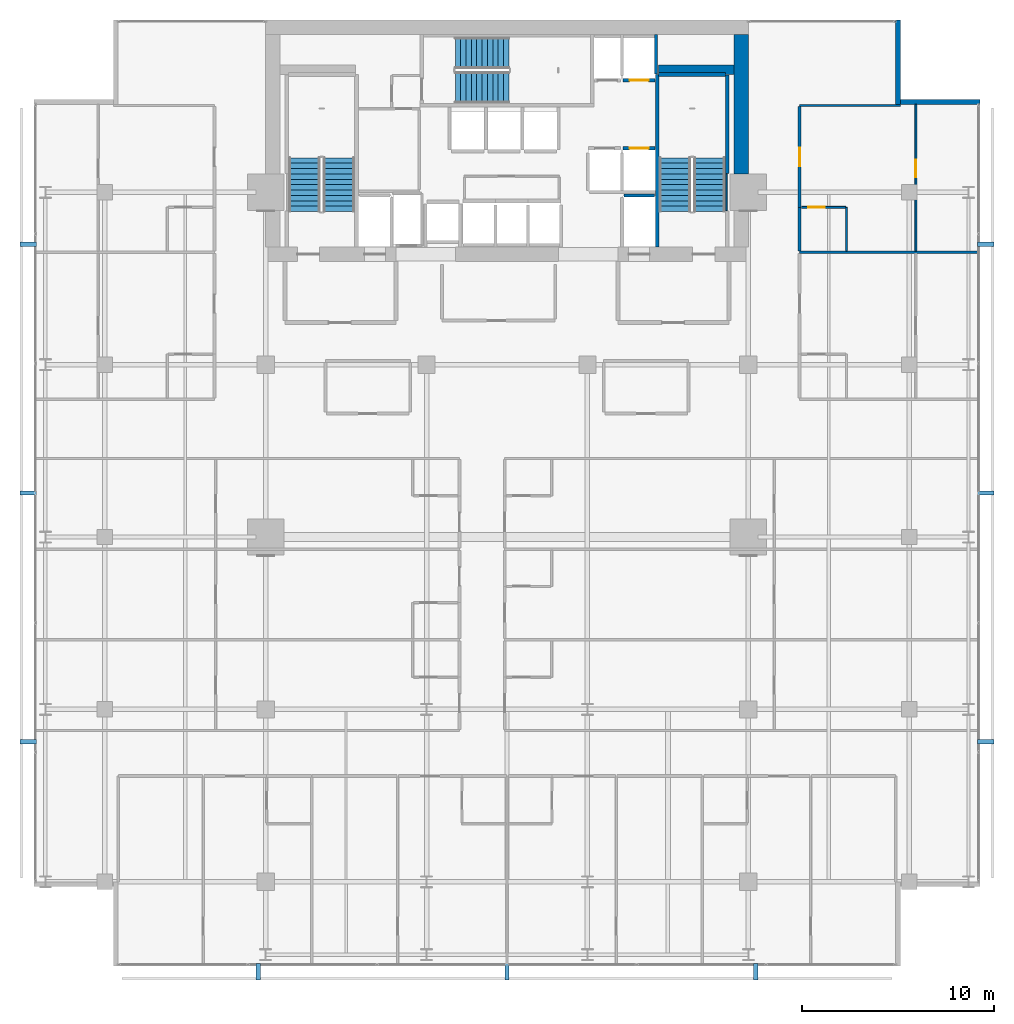
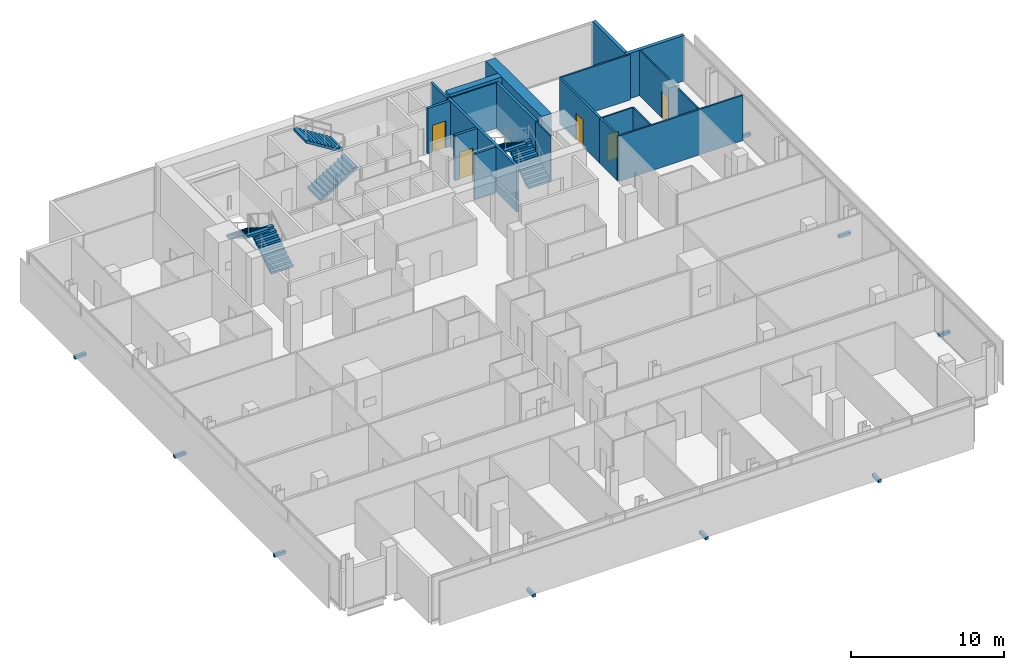
# One storey, part 31 of 33: 19 walls, 9 discrete accessories, 6 stair flights, 5 doors, 5 openings, 3 elements without a shape of their own.
"""IFC4 building model written with IfcOpenShell, lengths in metres."""

import ifcopenshell
import ifcopenshell.guid

model = None  # the IFC model being written
_history = None  # IfcOwnerHistory: only IFC2X3 demands one
_inside = {}  # id of a spatial element -> (the spatial element, [elements in it])
_under = {}  # id of a project, library or spatial element -> (it, [spatial elements below it])
_declared = {}  # id of a project -> (the project, [libraries it declares])
_typed = {}  # id of a type object -> (the type object, [elements of that type])
_made_of = {}  # id of a material, layer set ... -> (it, [elements and type objects made of it])


def new_model(schema):
    """Start an empty IFC model of exactly this schema.

    Asked for "IFC4X3", IfcOpenShell would pick the latest addendum, in which some entities
    have other attributes; the version numbers below select the first issue.
    IFC2X3 requires an IfcOwnerHistory on every rooted entity: one is made here for all.
    """
    global model, _history
    if schema == "IFC4X3":
        model = ifcopenshell.file(schema_version=(4, 3, 0, 0))
    else:
        model = ifcopenshell.file(schema=schema)
    _inside.clear()
    _under.clear()
    _declared.clear()
    _typed.clear()
    _made_of.clear()
    _history = None
    if model.schema == "IFC2X3":
        org = make("IfcOrganization", Name="unknown")
        user = make(
            "IfcPersonAndOrganization",
            ThePerson=make("IfcPerson", FamilyName="unknown"),
            TheOrganization=org,
        )
        app = make(
            "IfcApplication",
            ApplicationDeveloper=org,
            Version="unknown",
            ApplicationFullName="unknown",
            ApplicationIdentifier="unknown",
        )
        _history = make(
            "IfcOwnerHistory",
            OwningUser=user,
            OwningApplication=app,
            ChangeAction="ADDED",
            CreationDate=0,
        )
    return model


def make(cls, **values):
    """One entity of the class cls with the attributes given. An attribute that is None is left unset."""
    return model.create_entity(
        cls, **{name: value for name, value in values.items() if value is not None}
    )


def rooted(cls, **values):
    """An entity with a GlobalId (a new one), such as an element, a storey or a relation."""
    return make(cls, GlobalId=ifcopenshell.guid.new(), OwnerHistory=_history, **values)


def si_unit(unit_type, name, prefix=None):
    """IfcSIUnit, for example si_unit("LENGTHUNIT", "METRE", prefix="MILLI")."""
    return make("IfcSIUnit", UnitType=unit_type, Prefix=prefix, Name=name)


def assignment(units):
    """IfcUnitAssignment: the units of a project."""
    return None if units is None else make("IfcUnitAssignment", Units=units)


def point(xyz):
    """IfcCartesianPoint."""
    return None if xyz is None else make("IfcCartesianPoint", Coordinates=xyz)


def direction(xyz):
    """IfcDirection."""
    return None if xyz is None else make("IfcDirection", DirectionRatios=xyz)


def frame(location, z_axis=None, x_axis=None):
    """IfcAxis2Placement3D, a coordinate frame: its origin and axes. An axis left out is left unset."""
    return make(
        "IfcAxis2Placement3D",
        Location=point(location),
        Axis=direction(z_axis),
        RefDirection=direction(x_axis),
    )


def frame_2d(location, x_axis=None):
    """IfcAxis2Placement2D, a coordinate frame in the plane: its origin and x axis."""
    return make(
        "IfcAxis2Placement2D", Location=point(location), RefDirection=direction(x_axis)
    )


def origin():
    """The frame at (0, 0, 0) with its axes left unset."""
    return frame((0.0, 0.0, 0.0))


def origin_2d():
    """The frame at (0, 0) in the plane with its x axis left unset."""
    return frame_2d((0.0, 0.0))


def place(relative_to, where):
    """IfcLocalPlacement: puts the frame where relative to a parent placement (None: the world)."""
    return make(
        "IfcLocalPlacement", PlacementRelTo=relative_to, RelativePlacement=where
    )


def context(
    kind, dimensions, precision=None, world=None, true_north=None, identifier=None
):
    """IfcGeometricRepresentationContext, for example the 3D "Model" context."""
    return make(
        "IfcGeometricRepresentationContext",
        ContextIdentifier=identifier,
        ContextType=kind,
        CoordinateSpaceDimension=dimensions,
        Precision=precision,
        WorldCoordinateSystem=world,
        TrueNorth=true_north,
    )


def subcontext(parent, identifier, kind, view, scale=None):
    """IfcGeometricRepresentationSubContext, for example "Body" below "Model"."""
    return make(
        "IfcGeometricRepresentationSubContext",
        ContextIdentifier=identifier,
        ContextType=kind,
        ParentContext=parent,
        TargetScale=scale,
        TargetView=view,
    )


def project(units=None, contexts=None):
    """IfcProject with its units and contexts."""
    return rooted(
        "IfcProject",
        Name="project",
        RepresentationContexts=contexts,
        UnitsInContext=assignment(units),
    )


def spatial(cls, under=None, at=None, **own):
    """A site, building, storey or space (cls), placed at a placement, below another one or the project."""
    s = rooted(cls, ObjectPlacement=at, **own)
    if under is not None:
        _under.setdefault(under.id(), (under, []))[1].append(s)
    return s


def polyline(points):
    """IfcPolyline through the points."""
    return make("IfcPolyline", Points=[point(p) for p in points])


def profile(cls, at=None, kind="AREA", **sizes):
    """A parametric profile (cls). Its sizes go by their IFC names, for example OverallWidth=200.0."""
    return make(cls, ProfileType=kind, Position=at, **sizes)


def rectangle(**sizes):
    """IfcRectangleProfileDef."""
    return profile("IfcRectangleProfileDef", **sizes)


def outline(outer, holes=None, kind="AREA"):
    """IfcArbitraryClosedProfileDef: a profile drawn as a closed curve; with holes, ...WithVoids."""
    if holes is None:
        return make("IfcArbitraryClosedProfileDef", ProfileType=kind, OuterCurve=outer)
    return make(
        "IfcArbitraryProfileDefWithVoids",
        ProfileType=kind,
        OuterCurve=outer,
        InnerCurves=holes,
    )


def extrude(swept, where, along, depth):
    """IfcExtrudedAreaSolid: the profile swept, set in the frame where, extruded along a direction by depth."""
    return make(
        "IfcExtrudedAreaSolid",
        SweptArea=swept,
        Position=where,
        ExtrudedDirection=direction(along),
        Depth=depth,
    )


def shape(context_of_items, identifier, shape_type, items):
    """IfcShapeRepresentation: the items that make up one representation, for example the "Body"."""
    return make(
        "IfcShapeRepresentation",
        ContextOfItems=context_of_items,
        RepresentationIdentifier=identifier,
        RepresentationType=shape_type,
        Items=items,
    )


def material(Name=None, Category=None):
    """IfcMaterial."""
    return make("IfcMaterial", Name=Name, Category=Category)


def layer(
    of_material, thickness, ventilated=None, Name=None, Category=None, Priority=None
):
    """IfcMaterialLayer: one layer of a wall or slab, of a material (None: an air gap)."""
    return make(
        "IfcMaterialLayer",
        Material=of_material,
        LayerThickness=thickness,
        IsVentilated=ventilated,
        Name=Name,
        Category=Category,
        Priority=Priority,
    )


def layer_set(layers, Name=None):
    """IfcMaterialLayerSet."""
    return make("IfcMaterialLayerSet", MaterialLayers=layers, LayerSetName=Name)


def made_of(thing, what):
    """Note that an element or type object is made of a material, layer set ...; save() writes the relation."""
    if what is not None:
        _made_of.setdefault(what.id(), (what, []))[1].append(thing)
    return thing


def type_object(cls, material=None, **own):
    """A type object (cls), such as IfcWallType, which elements share."""
    return made_of(rooted(cls, **own), material)


def element(
    cls,
    number,
    at=None,
    inside=None,
    cuts=None,
    type_object=None,
    material=None,
    context=None,
    identifier="Body",
    shape_type=None,
    held_by="IfcProductDefinitionShape",
    body=None,
    shapes=None,
    **own,
):
    """One element of the class cls, such as IfcWall. Its Tag is "e" and its number.

    at: its placement. inside: the storey or other place that contains it. cuts: it is an
    opening in that element (IfcRelVoidsElement). A single representation is given by context,
    identifier, shape_type and body (its items); several are given by shapes. held_by: the class
    of the entity that holds the representations. save() writes the other relations.
    """
    e = rooted(cls, Tag="e%d" % number, ObjectPlacement=at, **own)
    if body is not None:
        shapes = [shape(context, identifier, shape_type, body)]
    if shapes is not None:
        e.Representation = make(held_by, Representations=shapes)
    if inside is not None:
        _inside.setdefault(inside.id(), (inside, []))[1].append(e)
    if cuts is not None:
        rooted(
            "IfcRelVoidsElement", RelatingBuildingElement=cuts, RelatedOpeningElement=e
        )
    if type_object is not None:
        _typed.setdefault(type_object.id(), (type_object, []))[1].append(e)
    return made_of(e, material)


def fill(opening, filler):
    """IfcRelFillsElement: the door or window that sits in an opening."""
    return rooted(
        "IfcRelFillsElement",
        RelatingOpeningElement=opening,
        RelatedBuildingElement=filler,
    )


def aggregate(whole, parts):
    """IfcRelAggregates: a whole, such as a stair, and the parts it consists of."""
    return rooted("IfcRelAggregates", RelatingObject=whole, RelatedObjects=parts)


def save(model, path):
    """Write the relations noted so far, then the file.

    IfcRelAggregates (storeys below a building ...), IfcRelContainedInSpatialStructure (elements
    in a storey), IfcRelDefinesByType, IfcRelAssociatesMaterial and IfcRelDeclares: one each for
    every whole, place, type object, material and project.
    """
    for whole, parts in _under.values():
        aggregate(whole, parts)
    for where, things in _inside.values():
        rooted(
            "IfcRelContainedInSpatialStructure",
            RelatedElements=things,
            RelatingStructure=where,
        )
    for kind, things in _typed.values():
        rooted("IfcRelDefinesByType", RelatedObjects=things, RelatingType=kind)
    for what, things in _made_of.values():
        rooted("IfcRelAssociatesMaterial", RelatedObjects=things, RelatingMaterial=what)
    for by, libraries in _declared.values():
        rooted("IfcRelDeclares", RelatingContext=by, RelatedDefinitions=libraries)
    model.write(path)


model = new_model("IFC4")

# Units and contexts
model_context = context("Model", 3, precision=1e-05, world=origin(), true_north=direction((0.0, 1.0)))
body_context = subcontext(model_context, "Body", "Model", "MODEL_VIEW")
ifc_project = project(units=[si_unit("LENGTHUNIT", "METRE"), si_unit("AREAUNIT", "SQUARE_METRE"), si_unit("VOLUMEUNIT", "CUBIC_METRE"), si_unit("PLANEANGLEUNIT", "RADIAN"), si_unit("MASSUNIT", "GRAM", prefix="KILO")], contexts=[model_context])

# Site, building, storey
site_placement = place(None, origin())
site = spatial("IfcSite", under=ifc_project, at=site_placement, CompositionType="ELEMENT")
building_placement = place(site_placement, origin())
building = spatial("IfcBuilding", under=site, at=building_placement, Name="Maruvema Waterfront Hotel and Observation Tower", CompositionType="ELEMENT")
storey_placement = place(building_placement, frame((0.0, 0.0, 138.949951171875)))
storey = spatial("IfcBuildingStorey", under=building, at=storey_placement, Name="L33", CompositionType="ELEMENT", Elevation=138.949951171875)

# Wall
ifc_material_1 = material(Name="Twin-stud acoustic gypsum drywall", Category="gypsum")
ifc_layer_1 = layer(ifc_material_1, 0.14990234375, Name="Acoustic Corridor and Suite Demising Wall 150 mm")
ifc_layer_set_1 = layer_set([ifc_layer_1], Name="Twin-stud acoustic gypsum drywall")
wall_type_1 = type_object("IfcWallType", Name="Acoustic Corridor and Suite Demising Wall 150 mm", PredefinedType="PARTITIONING", material=ifc_layer_set_1)
wall_1_placement = place(storey_placement, frame((53.080078125, 41.9287109375, 0.0), z_axis=(0.0, 0.0, 1.0), x_axis=(0.0, 1.0, 0.0)))
element("IfcWall", 1, at=wall_1_placement, inside=storey, type_object=wall_type_1, Name="L33 Bath L33-NE2 Wall 117", PredefinedType="PARTITIONING", context=body_context, shape_type="SweptSolid", body=[
    extrude(rectangle(XDim=2.2900390625, YDim=0.14990234375, at=frame_2d((1.14501953125, 0.0))), origin(), (0.0, 0.0, 1.0), 3.610107421875),
])

# Wall, opening, door
wall_2_placement = place(storey_placement, frame((53.080078125, 44.21875, 0.0), z_axis=(0.0, 0.0, 1.0), x_axis=(0.0, 1.0, 0.0)))
wall_2 = element("IfcWall", 2, at=wall_2_placement, inside=storey, type_object=wall_type_1, Name="L33 Room L33-NE2 Corridor Wall 118", PredefinedType="PARTITIONING", context=body_context, shape_type="SweptSolid", body=[
    extrude(rectangle(XDim=5.2587890625, YDim=0.14990234375, at=frame_2d((2.62939453125, 0.0))), origin(), (0.0, 0.0, 1.0), 3.610107421875),
])
opening_1_placement = place(wall_2_placement, frame((2.154296875, 0.0, 0.0)))
opening_1 = element("IfcOpeningElement", 3, at=opening_1_placement, cuts=wall_2, Name="Opening DR-095", PredefinedType="OPENING", context=body_context, shape_type="SweptSolid", body=[
    extrude(rectangle(XDim=0.949951171875, YDim=2.14990234375, at=frame_2d((0.47509765625, 1.074951171875))), frame((0.0, 0.0849609375, 0.0), z_axis=(0.0, -1.0, 0.0), x_axis=(1.0, 0.0, 0.0)), (0.0, 0.0, 1.0), 0.169921875),
])
ifc_material_2 = material(Name="Acoustic solid-core hardwood timber leaf", Category="wood")
door_type_1 = type_object("IfcDoorType", Name="Guestroom Entrance Fire Door 950x2150 mm", OperationType="NOTDEFINED", PredefinedType="DOOR", material=ifc_material_2)
door_1_placement = place(opening_1_placement, frame((0.949951171875, 0.0, 0.0), z_axis=(0.0, 0.0, 1.0), x_axis=(-1.0, 0.0, 0.0)))
door_1 = element("IfcDoor", 4, at=door_1_placement, inside=storey, type_object=door_type_1, Name="L33 Room L33-NE2 Entrance Door", OperationType="SINGLE_SWING_RIGHT", OverallHeight=2.14990234375, OverallWidth=0.949951171875, PredefinedType="DOOR", context=body_context, shape_type="SweptSolid", body=[
    extrude(rectangle(XDim=0.949951171875, YDim=2.14990234375, at=frame_2d((0.47509765625, 1.074951171875))), frame((0.0, 0.02490234375, 0.0), z_axis=(0.0, -1.0, 0.0), x_axis=(1.0, 0.0, 0.0)), (0.0, 0.0, 1.0), 0.050048828125),
])
fill(opening_1, door_1)

# Walls
ifc_material_3 = material(Name="Precast concrete C45/55", Category="concrete")
ifc_layer_2 = layer(ifc_material_3, 0.199951171875, Name="Core Shaft and Stairwell Enclosure Wall 200 mm")
ifc_layer_set_2 = layer_set([ifc_layer_2], Name="Precast concrete C45/55")
wall_type_2 = type_object("IfcWallType", Name="Core Shaft and Stairwell Enclosure Wall 200 mm", PredefinedType="SOLIDWALL", material=ifc_layer_set_2)
wall_3_placement = place(storey_placement, frame((45.64990234375, 42.14990234375, 0.0), z_axis=(0.0, 0.0, 1.0), x_axis=(0.0, 1.0, 0.0)))
element("IfcWall", 5, at=wall_3_placement, inside=storey, type_object=wall_type_2, Name="L33 Stairwell ST-03 West Shaft Wall", PredefinedType="SOLIDWALL", context=body_context, shape_type="SweptSolid", body=[
    extrude(rectangle(XDim=9.0, YDim=0.199951171875, at=frame_2d((4.5, 0.0))), origin(), (0.0, 0.0, 1.0), 3.610107421875),
])
wall_4_placement = place(storey_placement, frame((49.300048828125, 45.97998046875, 0.0), z_axis=(0.0, 0.0, 1.0), x_axis=(0.0, 1.0, 0.0)))
element("IfcWall", 6, at=wall_4_placement, inside=storey, type_object=wall_type_2, Name="L33 Stairwell ST-03 Shaft Lining Wall", PredefinedType="SOLIDWALL", context=body_context, shape_type="SweptSolid", body=[
    extrude(rectangle(XDim=5.14013671875, YDim=0.199951171875, at=frame_2d((2.570068359375, 0.0))), origin(), (0.0, 0.0, 1.0), 3.610107421875),
])
wall_5_placement = place(storey_placement, frame((45.719970703125, 51.14990234375, 0.0), z_axis=(0.0, 0.0, 1.0), x_axis=(1.0, 0.0, 0.0)))
element("IfcWall", 7, at=wall_5_placement, inside=storey, type_object=wall_type_2, Name="L33 Stairwell ST-03 Shaft Lining Wall", PredefinedType="SOLIDWALL", context=body_context, shape_type="SweptSolid", body=[
    extrude(rectangle(XDim=3.5, YDim=0.199951171875, at=frame_2d((1.75, 0.0))), origin(), (0.0, 0.0, 1.0), 3.610107421875),
])

# Wall, opening, door
wall_6_placement = place(storey_placement, frame((43.860107421875, 47.300048828125, 0.0), z_axis=(0.0, 0.0, 1.0), x_axis=(1.0, 0.0, 0.0)))
wall_6 = element("IfcWall", 8, at=wall_6_placement, inside=storey, type_object=wall_type_2, Name="L33 Lift LF-06 Hoistway Front Wall", PredefinedType="SOLIDWALL", context=body_context, shape_type="SweptSolid", body=[
    extrude(rectangle(XDim=1.679931640625, YDim=0.199951171875, at=frame_2d((0.83984375, 0.0))), origin(), (0.0, 0.0, 1.0), 3.610107421875),
])
opening_2_placement = place(wall_6_placement, frame((0.340087890625, 0.0, 0.0)))
opening_2 = element("IfcOpeningElement", 9, at=opening_2_placement, cuts=wall_6, Name="Opening LD-01", PredefinedType="OPENING", context=body_context, shape_type="SweptSolid", body=[
    extrude(rectangle(XDim=1.0, YDim=2.14990234375, at=frame_2d((0.5, 1.074951171875))), frame((0.0, 0.10986328125, 0.0), z_axis=(0.0, -1.0, 0.0), x_axis=(1.0, 0.0, 0.0)), (0.0, 0.0, 1.0), 0.219970703125),
])
ifc_material_4 = material(Name="Brushed stainless steel Grade 316", Category="steel")
door_type_2 = type_object("IfcDoorType", Name="Passenger Lift Sliding Landing Door 1000x2150 mm", OperationType="SLIDING_TO_LEFT", PredefinedType="DOOR", material=ifc_material_4)
door_2_placement = place(opening_2_placement, origin())
door_2 = element("IfcDoor", 10, at=door_2_placement, inside=storey, type_object=door_type_2, Name="L33 Lift LF-06 Sliding Landing Door", OperationType="SLIDING_TO_LEFT", OverallHeight=2.14990234375, OverallWidth=1.0, PredefinedType="DOOR", context=body_context, shape_type="SweptSolid", body=[
    extrude(rectangle(XDim=1.0, YDim=2.14990234375, at=frame_2d((0.5, 1.074951171875))), frame((0.0, 0.02490234375, 0.0), z_axis=(0.0, -1.0, 0.0), x_axis=(1.0, 0.0, 0.0)), (0.0, 0.0, 1.0), 0.050048828125),
])
fill(opening_2, door_2)

wall_7_placement = place(storey_placement, frame((43.860107421875, 50.85009765625, 0.0), z_axis=(0.0, 0.0, 1.0), x_axis=(1.0, 0.0, 0.0)))
wall_7 = element("IfcWall", 11, at=wall_7_placement, inside=storey, type_object=wall_type_2, Name="L33 Lift LF-08 Hoistway Front Wall", PredefinedType="SOLIDWALL", context=body_context, shape_type="SweptSolid", body=[
    extrude(rectangle(XDim=1.679931640625, YDim=0.199951171875, at=frame_2d((0.83984375, 0.0))), origin(), (0.0, 0.0, 1.0), 3.610107421875),
])
opening_3_placement = place(wall_7_placement, frame((0.340087890625, 0.0, 0.0)))
opening_3 = element("IfcOpeningElement", 12, at=opening_3_placement, cuts=wall_7, Name="Opening LD-01", PredefinedType="OPENING", context=body_context, shape_type="SweptSolid", body=[
    extrude(rectangle(XDim=1.0, YDim=2.14990234375, at=frame_2d((0.5, 1.074951171875))), frame((0.0, 0.10986328125, 0.0), z_axis=(0.0, -1.0, 0.0), x_axis=(1.0, 0.0, 0.0)), (0.0, 0.0, 1.0), 0.219970703125),
])
door_3_placement = place(opening_3_placement, frame((1.0, 0.0, 0.0), z_axis=(0.0, 0.0, 1.0), x_axis=(-1.0, 0.0, 0.0)))
door_3 = element("IfcDoor", 13, at=door_3_placement, inside=storey, type_object=door_type_2, Name="L33 Lift LF-08 Sliding Landing Door", OperationType="SLIDING_TO_LEFT", OverallHeight=2.14990234375, OverallWidth=1.0, PredefinedType="DOOR", context=body_context, shape_type="SweptSolid", body=[
    extrude(rectangle(XDim=1.0, YDim=2.14990234375, at=frame_2d((0.5, 1.074951171875))), frame((0.0, 0.02490234375, 0.0), z_axis=(0.0, -1.0, 0.0), x_axis=(1.0, 0.0, 0.0)), (0.0, 0.0, 1.0), 0.050048828125),
])
fill(opening_3, door_3)

# Walls
ifc_material_5 = material(Name="Concrete C70/85", Category="concrete")
ifc_layer_3 = layer(ifc_material_5, 0.5, Name="Core Shear Wall 500 mm")
ifc_layer_set_3 = layer_set([ifc_layer_3], Name="Concrete C70/85")
wall_type_3 = type_object("IfcWallType", Name="Core Shear Wall 500 mm", PredefinedType="SHEAR", material=ifc_layer_set_3)
wall_8_placement = place(storey_placement, frame((45.699951171875, 51.39990234375, 0.0), z_axis=(0.0, 0.0, 1.0), x_axis=(1.0, 0.0, 0.0)))
element("IfcWall", 14, at=wall_8_placement, inside=storey, type_object=wall_type_3, Name="L33 Internal Core Shear Wall NE 500 mm", PredefinedType="SHEAR", context=body_context, shape_type="SweptSolid", body=[
    extrude(rectangle(XDim=3.949951171875, YDim=0.5, at=frame_2d((1.97509765625, 0.0))), origin(), (0.0, 0.0, 1.0), 3.85009765625),
])
ifc_material_6 = material(Name="Concrete C70/85", Category="concrete")
ifc_layer_4 = layer(ifc_material_6, 0.75, Name="Core Shear Wall 750 mm")
ifc_layer_set_4 = layer_set([ifc_layer_4], Name="Concrete C70/85")
wall_type_4 = type_object("IfcWallType", Name="Core Shear Wall 750 mm", PredefinedType="SHEAR", material=ifc_layer_set_4)
wall_9_placement = place(storey_placement, frame((50.02490234375, 45.949951171875, 0.0), z_axis=(0.0, 0.0, 1.0), x_axis=(0.0, 1.0, 0.0)))
element("IfcWall", 15, at=wall_9_placement, inside=storey, type_object=wall_type_4, Name="L33 East-North Core Shear Wall", PredefinedType="SHEAR", context=body_context, shape_type="SweptSolid", body=[
    extrude(rectangle(XDim=7.300048828125, YDim=0.75, at=frame_2d((3.64990234375, 0.0))), origin(), (0.0, 0.0, 1.0), 3.85009765625),
])
ifc_material_7 = material(Name="Moisture-resistant cement-board drywall", Category="gypsum")
ifc_layer_5 = layer(ifc_material_7, 0.10009765625, Name="En-Suite Moisture-Resistant Partition 100 mm")
ifc_layer_set_5 = layer_set([ifc_layer_5], Name="Moisture-resistant cement-board drywall")
wall_type_5 = type_object("IfcWallType", Name="En-Suite Moisture-Resistant Partition 100 mm", PredefinedType="PARTITIONING", material=ifc_layer_set_5)
wall_10_placement = place(storey_placement, frame((55.530029296875, 41.9287109375, 0.0), z_axis=(0.0, 0.0, 1.0), x_axis=(0.0, 1.0, 0.0)))
element("IfcWall", 16, at=wall_10_placement, inside=storey, type_object=wall_type_5, Name="L33 En-Suite L33-NE2 E 119", PredefinedType="PARTITIONING", context=body_context, shape_type="SweptSolid", body=[
    extrude(rectangle(XDim=2.2900390625, YDim=0.10009765625, at=frame_2d((1.14501953125, 0.0))), origin(), (0.0, 0.0, 1.0), 3.610107421875),
])

# Wall, opening, door
wall_11_placement = place(storey_placement, frame((53.179931640625, 44.21875, 0.0), z_axis=(0.0, 0.0, 1.0), x_axis=(1.0, 0.0, 0.0)))
wall_11 = element("IfcWall", 17, at=wall_11_placement, inside=storey, type_object=wall_type_5, Name="L33 En-Suite L33-NE2 N 120", PredefinedType="PARTITIONING", context=body_context, shape_type="SweptSolid", body=[
    extrude(rectangle(XDim=2.300048828125, YDim=0.10009765625, at=frame_2d((1.14990234375, 0.0))), origin(), (0.0, 0.0, 1.0), 3.610107421875),
])
opening_4_placement = place(wall_11_placement, frame((0.35009765625, 0.0, 0.0)))
opening_4 = element("IfcOpeningElement", 18, at=opening_4_placement, cuts=wall_11, Name="Opening DR-085", PredefinedType="OPENING", context=body_context, shape_type="SweptSolid", body=[
    extrude(rectangle(XDim=0.85009765625, YDim=2.10009765625, at=frame_2d((0.425048828125, 1.050048828125))), frame((0.0, 0.06005859375, 0.0), z_axis=(0.0, -1.0, 0.0), x_axis=(1.0, 0.0, 0.0)), (0.0, 0.0, 1.0), 0.1201171875),
])
ifc_material_8 = material(Name="Moisture-resistant solid timber leaf", Category="wood")
door_type_3 = type_object("IfcDoorType", Name="En-Suite Bathroom Door 850x2100 mm", OperationType="NOTDEFINED", PredefinedType="DOOR", material=ifc_material_8)
door_4_placement = place(opening_4_placement, origin())
door_4 = element("IfcDoor", 19, at=door_4_placement, inside=storey, type_object=door_type_3, Name="L33 En-Suite L33-NE2 Door", OperationType="SINGLE_SWING_LEFT", OverallHeight=2.10009765625, OverallWidth=0.85009765625, PredefinedType="DOOR", context=body_context, shape_type="SweptSolid", body=[
    extrude(rectangle(XDim=0.85009765625, YDim=2.10009765625, at=frame_2d((0.425048828125, 1.050048828125))), frame((0.0, 0.02490234375, 0.0), z_axis=(0.0, -1.0, 0.0), x_axis=(1.0, 0.0, 0.0)), (0.0, 0.0, 1.0), 0.050048828125),
])
fill(opening_4, door_4)

wall_12_placement = place(storey_placement, frame((59.154296875, 41.9287109375, 0.0), z_axis=(0.0, 0.0, 1.0), x_axis=(0.0, 1.0, 0.0)))
wall_12 = element("IfcWall", 20, at=wall_12_placement, inside=storey, type_object=wall_type_5, Name="L33 Suite L33-NE2 Split 121", PredefinedType="PARTITIONING", context=body_context, shape_type="SweptSolid", body=[
    extrude(rectangle(XDim=7.668701171875, YDim=0.10009765625, at=frame_2d((3.83447265625, 0.0))), origin(), (0.0, 0.0, 1.0), 3.610107421875),
])
opening_5_placement = place(wall_12_placement, frame((3.8642578125, 0.0, 0.0)))
opening_5 = element("IfcOpeningElement", 21, at=opening_5_placement, cuts=wall_12, Name="Opening DR-090", PredefinedType="OPENING", context=body_context, shape_type="SweptSolid", body=[
    extrude(rectangle(XDim=0.89990234375, YDim=2.10009765625, at=frame_2d((0.449951171875, 1.050048828125))), frame((0.0, 0.06005859375, 0.0), z_axis=(0.0, -1.0, 0.0), x_axis=(1.0, 0.0, 0.0)), (0.0, 0.0, 1.0), 0.1201171875),
])
ifc_material_9 = material(Name="Solid-core lacquered timber leaf", Category="wood")
door_type_4 = type_object("IfcDoorType", Name="Accessible Toilet and Room Door 900x2100 mm", OperationType="NOTDEFINED", PredefinedType="DOOR", material=ifc_material_9)
door_5_placement = place(opening_5_placement, frame((0.89990234375, 0.0, 0.0), z_axis=(0.0, 0.0, 1.0), x_axis=(-1.0, 0.0, 0.0)))
door_5 = element("IfcDoor", 22, at=door_5_placement, inside=storey, type_object=door_type_4, Name="L33 Suite L33-NE2 Bedroom Door", OperationType="SINGLE_SWING_LEFT", OverallHeight=2.10009765625, OverallWidth=0.89990234375, PredefinedType="DOOR", context=body_context, shape_type="SweptSolid", body=[
    extrude(rectangle(XDim=0.89990234375, YDim=2.10009765625, at=frame_2d((0.449951171875, 1.050048828125))), frame((0.0, 0.02490234375, 0.0), z_axis=(0.0, -1.0, 0.0), x_axis=(1.0, 0.0, 0.0)), (0.0, 0.0, 1.0), 0.050048828125),
])
fill(opening_5, door_5)

# Walls
ifc_material_10 = material(Name="Precast concrete C45/55 with honed Pernambuco granite facing", Category="masonry")
ifc_layer_6 = layer(ifc_material_10, 0.260009765625, Name="Exterior Granite Clad Spandrel and Pier Wall 260 mm")
ifc_layer_set_6 = layer_set([ifc_layer_6], Name="Precast concrete C45/55 with honed Pernambuco granite facing")
wall_type_6 = type_object("IfcWallType", Name="Exterior Granite Clad Spandrel and Pier Wall 260 mm", PredefinedType="SOLIDWALL", material=ifc_layer_set_6)
for number, where, z_axis, x_axis, name in (
    (23, (58.22998046875, 54.0, 0.0), (0.0, 0.0, 1.0), (0.0, -1.0, 0.0), "L33 Corner Notch Granite Pier Wall NE1"),
    (24, (58.10009765625, 49.72998046875, 0.0), (0.0, 0.0, 1.0), (1.0, 0.0, 0.0), "L33 Corner Notch Granite Pier Wall NE2"),
):
    element("IfcWall", number, at=place(storey_placement, frame(where, z_axis=z_axis, x_axis=x_axis)), inside=storey, type_object=wall_type_6, Name=name, PredefinedType="SOLIDWALL", context=body_context, shape_type="SweptSolid", body=[
        extrude(rectangle(XDim=4.39990234375, YDim=0.260009765625, at=frame_2d((2.199951171875, 0.0))), origin(), (0.0, 0.0, 1.0), 3.610107421875),
    ])
ifc_material_11 = material(Name="Acoustic gypsum plasterboard drywall", Category="gypsum")
ifc_layer_7 = layer(ifc_material_11, 0.125, Name="Guestroom Acoustic Demising Wall 125 mm")
ifc_layer_set_7 = layer_set([ifc_layer_7], Name="Acoustic gypsum plasterboard drywall")
wall_type_7 = type_object("IfcWallType", Name="Guestroom Acoustic Demising Wall 125 mm", PredefinedType="PARTITIONING", material=ifc_layer_set_7)
wall_13_placement = place(storey_placement, frame((53.080078125, 49.53759765625, 0.0), z_axis=(0.0, 0.0, 1.0), x_axis=(1.0, 0.0, 0.0)))
element("IfcWall", 25, at=wall_13_placement, inside=storey, type_object=wall_type_7, Name="L33 Z2 NE Top End 099", PredefinedType="PARTITIONING", context=body_context, shape_type="SweptSolid", body=[
    extrude(rectangle(XDim=5.280029296875, YDim=0.125, at=frame_2d((2.64013671875, 0.0))), origin(), (0.0, 0.0, 1.0), 3.610107421875),
])
wall_14_placement = place(storey_placement, frame((53.080078125, 41.868896484375, 0.0), z_axis=(0.0, 0.0, 1.0), x_axis=(1.0, 0.0, 0.0)))
element("IfcWall", 26, at=wall_14_placement, inside=storey, type_object=wall_type_7, Name="L33 Z2 NE Demising 2 111", PredefinedType="PARTITIONING", context=body_context, shape_type="SweptSolid", body=[
    extrude(rectangle(XDim=9.31982421875, YDim=0.125, at=frame_2d((4.659912109375, 0.0))), origin(), (0.0, 0.0, 1.0), 3.610107421875),
])
ifc_material_12 = material(Name="Precast concrete C45/55", Category="concrete")
ifc_layer_8 = layer(ifc_material_12, 0.159912109375, Name="Lift Hoistway Divider Wall 160 mm")
ifc_layer_set_8 = layer_set([ifc_layer_8], Name="Precast concrete C45/55")
wall_type_8 = type_object("IfcWallType", Name="Lift Hoistway Divider Wall 160 mm", PredefinedType="SOLIDWALL", material=ifc_layer_set_8)
wall_15_placement = place(storey_placement, frame((43.89990234375, 44.830078125, 0.0), z_axis=(0.0, 0.0, 1.0), x_axis=(1.0, 0.0, 0.0)))
element("IfcWall", 27, at=wall_15_placement, inside=storey, type_object=wall_type_8, Name="L33 Lift FL-02 Rear Hoistway Wall", PredefinedType="SOLIDWALL", context=body_context, shape_type="SweptSolid", body=[
    extrude(rectangle(XDim=1.60009765625, YDim=0.159912109375, at=frame_2d((0.800048828125, 0.0))), origin(), (0.0, 0.0, 1.0), 3.610107421875),
])
wall_16_placement = place(storey_placement, frame((45.590087890625, 51.179931640625, 0.0), z_axis=(0.0, 0.0, 1.0), x_axis=(0.0, 1.0, 0.0)))
element("IfcWall", 28, at=wall_16_placement, inside=storey, type_object=wall_type_8, Name="L33 Hoistway Divider Wall", PredefinedType="SOLIDWALL", context=body_context, shape_type="SweptSolid", body=[
    extrude(rectangle(XDim=2.070068359375, YDim=0.159912109375, at=frame_2d((1.03515625, 0.0))), origin(), (0.0, 0.0, 1.0), 3.610107421875),
])
ifc_material_13 = material(Name="Precast concrete C45/55", Category="concrete")
ifc_layer_9 = layer(ifc_material_13, 0.10009765625, Name="Stairwell Stringer Cheek Wall 100 mm")
ifc_layer_set_9 = layer_set([ifc_layer_9], Name="Precast concrete C45/55")
wall_type_9 = type_object("IfcWallType", Name="Stairwell Stringer Cheek Wall 100 mm", PredefinedType="SOLIDWALL", material=ifc_layer_set_9)
wall_17_placement = place(storey_placement, frame((49.248046875, 44.0400390625, 0.0), z_axis=(0.0, 0.0, 1.0), x_axis=(0.0, 1.0, 0.0)))
element("IfcWall", 29, at=wall_17_placement, inside=storey, type_object=wall_type_9, Name="L33 Stairwell ST-03 Mega-Column Cheek Wall", PredefinedType="SOLIDWALL", context=body_context, shape_type="SweptSolid", body=[
    extrude(rectangle(XDim=1.919921875, YDim=0.10009765625, at=frame_2d((0.9599609375, 0.0))), origin(), (0.0, 0.0, 1.0), 3.610107421875),
])

# Stair, stair flights
ifc_material_14 = material(Name="Concrete C50/60", Category="concrete")
stair_type = type_object("IfcStairType", Name="Dogleg Exit Stair 1650 mm (22R x 175.0 mm)", PredefinedType="HALF_TURN_STAIR", material=ifc_material_14)
stair_1_placement = place(storey_placement, origin())
stair_1 = element("IfcStair", 30, at=stair_1_placement, inside=storey, type_object=stair_type, Name="L33 ST-01", PredefinedType="HALF_TURN_STAIR")
ifc_material_15 = material(Name="Concrete C50/60", Category="concrete")
stair_flight_type = type_object("IfcStairFlightType", Name="Reinforced Concrete Stair Flight 1650 mm (11R x 175.0 mm)", PredefinedType="STRAIGHT", material=ifc_material_15)
stair_flight_1_placement = place(storey_placement, frame((29.02490234375, 44.0, 0.0), z_axis=(0.0, 0.0, 1.0), x_axis=(0.0, 1.0, 0.0)))
stair_flight_1 = element("IfcStairFlight", 31, at=stair_flight_1_placement, type_object=stair_flight_type, Name="ST-01 flight 1", NumberOfRisers=11, NumberOfTreads=10, PredefinedType="STRAIGHT", RiserHeight=0.175, TreadLength=0.28, context=body_context, shape_type="SweptSolid", body=[
    extrude(outline(polyline([(0.0, 0.0), (0.0, 0.175048828125), (0.280029296875, 0.175048828125), (0.280029296875, 0.35009765625), (0.56005859375, 0.35009765625), (0.56005859375, 0.52490234375), (0.840087890625, 0.52490234375), (0.840087890625, 0.699951171875), (1.1201171875, 0.699951171875), (1.1201171875, 0.875), (1.39990234375, 0.875), (1.39990234375, 1.050048828125), (1.679931640625, 1.050048828125), (1.679931640625, 1.22509765625), (1.9599609375, 1.22509765625), (1.9599609375, 1.39990234375), (2.239990234375, 1.39990234375), (2.239990234375, 1.574951171875), (2.52001953125, 1.574951171875), (2.52001953125, 1.75), (2.800048828125, 1.75), (2.800048828125, 1.925048828125), (2.800048828125, 1.5732421875), (0.28271484375, 0.0), (0.0, 0.0)])), frame((0.0, 0.824951171875, 0.0), z_axis=(0.0, -1.0, 0.0), x_axis=(1.0, 0.0, 0.0)), (0.0, 0.0, 1.0), 1.64990234375),
])
stair_flight_2_placement = place(storey_placement, frame((27.22509765625, 46.800048828125, 1.925048828125), z_axis=(0.0, 0.0, 1.0), x_axis=(0.0, -1.0, 0.0)))
stair_flight_2 = element("IfcStairFlight", 32, at=stair_flight_2_placement, type_object=stair_flight_type, Name="ST-01 flight 2", NumberOfRisers=11, NumberOfTreads=10, PredefinedType="STRAIGHT", RiserHeight=0.175, TreadLength=0.28, context=body_context, shape_type="SweptSolid", body=[
    extrude(outline(polyline([(0.0, 0.0), (0.0, 0.175048828125), (0.280029296875, 0.175048828125), (0.280029296875, 0.35009765625), (0.56005859375, 0.35009765625), (0.56005859375, 0.52490234375), (0.840087890625, 0.52490234375), (0.840087890625, 0.699951171875), (1.1201171875, 0.699951171875), (1.1201171875, 0.875), (1.39990234375, 0.875), (1.39990234375, 1.050048828125), (1.679931640625, 1.050048828125), (1.679931640625, 1.22509765625), (1.9599609375, 1.22509765625), (1.9599609375, 1.39990234375), (2.239990234375, 1.39990234375), (2.239990234375, 1.574951171875), (2.52001953125, 1.574951171875), (2.52001953125, 1.75), (2.800048828125, 1.75), (2.800048828125, 1.925048828125), (2.800048828125, 1.5732421875), (0.28271484375, 0.0), (0.0, 0.0)])), frame((0.0, 0.824951171875, 0.0), z_axis=(0.0, -1.0, 0.0), x_axis=(1.0, 0.0, 0.0)), (0.0, 0.0, 1.0), 1.64990234375),
])
aggregate(stair_1, [stair_flight_1, stair_flight_2])

stair_2_placement = place(storey_placement, origin())
stair_2 = element("IfcStair", 33, at=stair_2_placement, inside=storey, type_object=stair_type, Name="L33 ST-02", PredefinedType="HALF_TURN_STAIR")
stair_flight_3_placement = place(storey_placement, frame((35.10009765625, 50.47509765625, 0.0), z_axis=(0.0, 0.0, 1.0), x_axis=(1.0, 0.0, 0.0)))
stair_flight_3 = element("IfcStairFlight", 34, at=stair_flight_3_placement, type_object=stair_flight_type, Name="ST-02 flight 1", NumberOfRisers=11, NumberOfTreads=10, PredefinedType="STRAIGHT", RiserHeight=0.175, TreadLength=0.28, context=body_context, shape_type="SweptSolid", body=[
    extrude(outline(polyline([(0.0, 0.0), (0.0, 0.175048828125), (0.280029296875, 0.175048828125), (0.280029296875, 0.35009765625), (0.56005859375, 0.35009765625), (0.56005859375, 0.52490234375), (0.840087890625, 0.52490234375), (0.840087890625, 0.699951171875), (1.1201171875, 0.699951171875), (1.1201171875, 0.875), (1.39990234375, 0.875), (1.39990234375, 1.050048828125), (1.679931640625, 1.050048828125), (1.679931640625, 1.22509765625), (1.9599609375, 1.22509765625), (1.9599609375, 1.39990234375), (2.239990234375, 1.39990234375), (2.239990234375, 1.574951171875), (2.52001953125, 1.574951171875), (2.52001953125, 1.75), (2.800048828125, 1.75), (2.800048828125, 1.925048828125), (2.800048828125, 1.5732421875), (0.28271484375, 0.0), (0.0, 0.0)])), frame((0.0, 0.824951171875, 0.0), z_axis=(0.0, -1.0, 0.0), x_axis=(1.0, 0.0, 0.0)), (0.0, 0.0, 1.0), 1.64990234375),
])
stair_flight_4_placement = place(storey_placement, frame((37.89990234375, 52.27490234375, 1.925048828125), z_axis=(0.0, 0.0, 1.0), x_axis=(-1.0, 0.0, 0.0)))
stair_flight_4 = element("IfcStairFlight", 35, at=stair_flight_4_placement, type_object=stair_flight_type, Name="ST-02 flight 2", NumberOfRisers=11, NumberOfTreads=10, PredefinedType="STRAIGHT", RiserHeight=0.175, TreadLength=0.28, context=body_context, shape_type="SweptSolid", body=[
    extrude(outline(polyline([(0.0, 0.0), (0.0, 0.175048828125), (0.280029296875, 0.175048828125), (0.280029296875, 0.35009765625), (0.56005859375, 0.35009765625), (0.56005859375, 0.52490234375), (0.840087890625, 0.52490234375), (0.840087890625, 0.699951171875), (1.1201171875, 0.699951171875), (1.1201171875, 0.875), (1.39990234375, 0.875), (1.39990234375, 1.050048828125), (1.679931640625, 1.050048828125), (1.679931640625, 1.22509765625), (1.9599609375, 1.22509765625), (1.9599609375, 1.39990234375), (2.239990234375, 1.39990234375), (2.239990234375, 1.574951171875), (2.52001953125, 1.574951171875), (2.52001953125, 1.75), (2.800048828125, 1.75), (2.800048828125, 1.925048828125), (2.800048828125, 1.5732421875), (0.28271484375, 0.0), (0.0, 0.0)])), frame((0.0, 0.824951171875, 0.0), z_axis=(0.0, -1.0, 0.0), x_axis=(1.0, 0.0, 0.0)), (0.0, 0.0, 1.0), 1.64990234375),
])
aggregate(stair_2, [stair_flight_3, stair_flight_4])

stair_3_placement = place(storey_placement, origin())
stair_3 = element("IfcStair", 36, at=stair_3_placement, inside=storey, type_object=stair_type, Name="L33 ST-03", PredefinedType="HALF_TURN_STAIR")
stair_flight_5_placement = place(storey_placement, frame((48.375, 44.0, 0.0), z_axis=(0.0, 0.0, 1.0), x_axis=(0.0, 1.0, 0.0)))
stair_flight_5 = element("IfcStairFlight", 37, at=stair_flight_5_placement, type_object=stair_flight_type, Name="ST-03 flight 1", NumberOfRisers=11, NumberOfTreads=10, PredefinedType="STRAIGHT", RiserHeight=0.175, TreadLength=0.28, context=body_context, shape_type="SweptSolid", body=[
    extrude(outline(polyline([(0.0, 0.0), (0.0, 0.175048828125), (0.280029296875, 0.175048828125), (0.280029296875, 0.35009765625), (0.56005859375, 0.35009765625), (0.56005859375, 0.52490234375), (0.840087890625, 0.52490234375), (0.840087890625, 0.699951171875), (1.1201171875, 0.699951171875), (1.1201171875, 0.875), (1.39990234375, 0.875), (1.39990234375, 1.050048828125), (1.679931640625, 1.050048828125), (1.679931640625, 1.22509765625), (1.9599609375, 1.22509765625), (1.9599609375, 1.39990234375), (2.239990234375, 1.39990234375), (2.239990234375, 1.574951171875), (2.52001953125, 1.574951171875), (2.52001953125, 1.75), (2.800048828125, 1.75), (2.800048828125, 1.925048828125), (2.800048828125, 1.5732421875), (0.28271484375, 0.0), (0.0, 0.0)])), frame((0.0, 0.824951171875, 0.0), z_axis=(0.0, -1.0, 0.0), x_axis=(1.0, 0.0, 0.0)), (0.0, 0.0, 1.0), 1.64990234375),
])
stair_flight_6_placement = place(storey_placement, frame((46.574951171875, 46.800048828125, 1.925048828125), z_axis=(0.0, 0.0, 1.0), x_axis=(0.0, -1.0, 0.0)))
stair_flight_6 = element("IfcStairFlight", 38, at=stair_flight_6_placement, type_object=stair_flight_type, Name="ST-03 flight 2", NumberOfRisers=11, NumberOfTreads=10, PredefinedType="STRAIGHT", RiserHeight=0.175, TreadLength=0.28, context=body_context, shape_type="SweptSolid", body=[
    extrude(outline(polyline([(0.0, 0.0), (0.0, 0.175048828125), (0.280029296875, 0.175048828125), (0.280029296875, 0.35009765625), (0.56005859375, 0.35009765625), (0.56005859375, 0.52490234375), (0.840087890625, 0.52490234375), (0.840087890625, 0.699951171875), (1.1201171875, 0.699951171875), (1.1201171875, 0.875), (1.39990234375, 0.875), (1.39990234375, 1.050048828125), (1.679931640625, 1.050048828125), (1.679931640625, 1.22509765625), (1.9599609375, 1.22509765625), (1.9599609375, 1.39990234375), (2.239990234375, 1.39990234375), (2.239990234375, 1.574951171875), (2.52001953125, 1.574951171875), (2.52001953125, 1.75), (2.800048828125, 1.75), (2.800048828125, 1.925048828125), (2.800048828125, 1.5732421875), (0.28271484375, 0.0), (0.0, 0.0)])), frame((0.0, 0.824951171875, 0.0), z_axis=(0.0, -1.0, 0.0), x_axis=(1.0, 0.0, 0.0)), (0.0, 0.0, 1.0), 1.64990234375),
])
aggregate(stair_3, [stair_flight_5, stair_flight_6])

# Discrete accessories
ifc_material_16 = material(Name="Duplex stainless steel Grade 2205", Category="steel")
discrete_accessory_type = type_object("IfcDiscreteAccessoryType", Name="Double-Skin Cavity Stainless Outrigger Bracket", PredefinedType="BRACKET", material=ifc_material_16)
for number, where, z_axis, x_axis, name in (
    (39, (24.80810546875, 4.300048828125, -0.14013671875), (0.0, 0.0, 1.0), (1.0, 0.0, 0.0), "L33 Outer Skin Support Bracket 1"),
    (40, (37.800048828125, 4.300048828125, -0.14013671875), (0.0, 0.0, 1.0), (1.0, 0.0, 0.0), "L33 Outer Skin Support Bracket 2"),
    (41, (50.7919921875, 4.300048828125, -0.14013671875), (0.0, 0.0, 1.0), (1.0, 0.0, 0.0), "L33 Outer Skin Support Bracket 3"),
    (42, (62.800048828125, 16.30810546875, -0.14013671875), (0.0, 0.0, 1.0), (0.0, 1.0, 0.0), "L33 Outer Skin Support Bracket 1"),
    (43, (62.800048828125, 29.300048828125, -0.14013671875), (0.0, 0.0, 1.0), (0.0, 1.0, 0.0), "L33 Outer Skin Support Bracket 2"),
    (44, (62.800048828125, 42.2919921875, -0.14013671875), (0.0, 0.0, 1.0), (0.0, 1.0, 0.0), "L33 Outer Skin Support Bracket 3"),
    (45, (12.800048828125, 42.2919921875, -0.14013671875), (0.0, 0.0, 1.0), (0.0, -1.0, 0.0), "L33 Outer Skin Support Bracket 1"),
    (46, (12.800048828125, 29.300048828125, -0.14013671875), (0.0, 0.0, 1.0), (0.0, -1.0, 0.0), "L33 Outer Skin Support Bracket 2"),
    (47, (12.800048828125, 16.30810546875, -0.14013671875), (0.0, 0.0, 1.0), (0.0, -1.0, 0.0), "L33 Outer Skin Support Bracket 3"),
):
    element("IfcDiscreteAccessory", number, at=place(storey_placement, frame(where, z_axis=z_axis, x_axis=x_axis)), inside=storey, type_object=discrete_accessory_type, Name=name, PredefinedType="BRACKET", context=body_context, shape_type="SweptSolid", body=[
        extrude(rectangle(XDim=0.219970703125, YDim=0.860107421875, at=origin_2d()), origin(), (0.0, 0.0, 1.0), 0.239990234375),
    ])

save(model, "model.ifc")
